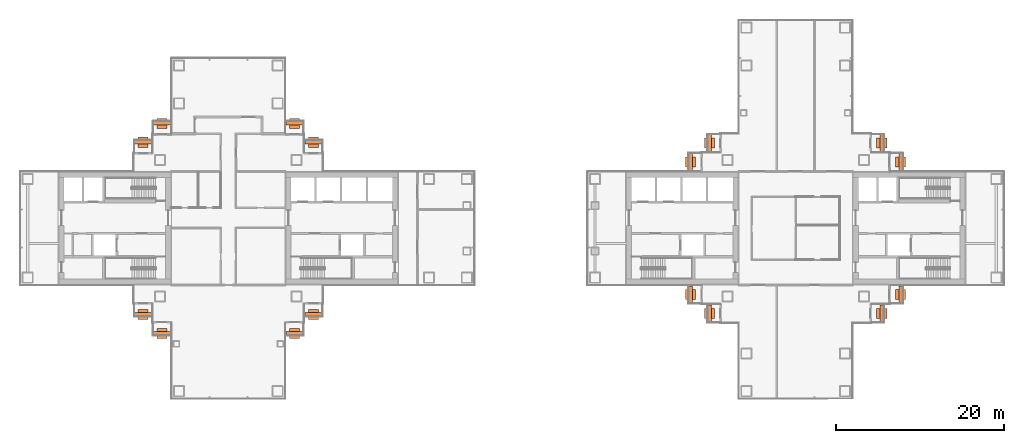
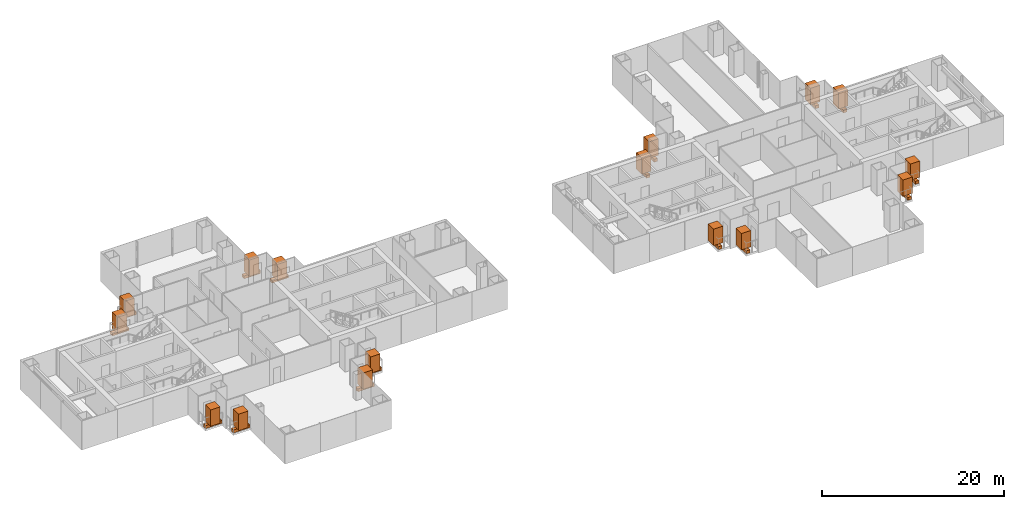
# One storey, part 20 of 20: 16 geographic elements, 16 proxies.
"""IFC4 building model written with IfcOpenShell, lengths in metres."""

from ifc_helpers import new_model, si_unit, direction, frame, origin, origin_2d, place, context, subcontext, project, spatial, rectangle, extrude, material, type_object, element, save


model = new_model("IFC4")

# Units and contexts
model_context = context("Model", 3, precision=1e-05, world=origin(), true_north=direction((0.0, 1.0)))
body_context = subcontext(model_context, "Body", "Model", "MODEL_VIEW")
ifc_project = project(units=[si_unit("LENGTHUNIT", "METRE"), si_unit("AREAUNIT", "SQUARE_METRE"), si_unit("VOLUMEUNIT", "CUBIC_METRE"), si_unit("PLANEANGLEUNIT", "RADIAN"), si_unit("MASSUNIT", "GRAM", prefix="KILO")], contexts=[model_context])

# Site, building, storey
site_placement = place(None, origin())
site = spatial("IfcSite", under=ifc_project, at=site_placement, CompositionType="ELEMENT")
building_placement = place(site_placement, origin())
building = spatial("IfcBuilding", under=site, at=building_placement, Name="Shamsa Quay Exchange Towers", CompositionType="ELEMENT")
storey_placement = place(building_placement, frame((0.0, 0.0, 124.800048828125)))
storey = spatial("IfcBuildingStorey", under=building, at=storey_placement, Name="L29", CompositionType="ELEMENT", Elevation=124.800048828125)

# Proxies
ifc_material_1 = material(Name="Reinforced concrete C30/37, black glass-fibre faced", Category="concrete")
building_element_proxy_type = type_object("IfcBuildingElementProxyType", Name="BALCONY PLANTER", PredefinedType="USERDEFINED", material=ifc_material_1)
for number, where, z_axis, x_axis, name in (
    (1, (-23.60595703125, 10.2451171875, 0.0), (0.0, 0.0, 1.0), (-1.0, 0.0, 0.0), "PLANTER T1-PKEN L29"),
    (2, (-25.85595703125, 12.4951171875, 0.0), (0.0, 0.0, 1.0), (-1.0, 0.0, 0.0), "PLANTER T1-PKEN L29"),
):
    element("IfcBuildingElementProxy", number, at=place(storey_placement, frame(where, z_axis=z_axis, x_axis=x_axis)), inside=storey, type_object=building_element_proxy_type, Name=name, ObjectType="PLANTER", PredefinedType="USERDEFINED", context=body_context, shape_type="SweptSolid", body=[
        extrude(rectangle(XDim=2.092041015625, YDim=0.449951171875, at=origin_2d()), origin(), (0.0, 0.0, 1.0), 0.39990234375),
    ])
for number, where, name in (
    (3, (-23.60595703125, -10.2451171875, 0.0), "PLANTER T1-PKES L29"),
    (4, (-25.85595703125, -12.4951171875, 0.0), "PLANTER T1-PKES L29"),
):
    element("IfcBuildingElementProxy", number, at=place(storey_placement, frame(where)), inside=storey, type_object=building_element_proxy_type, Name=name, ObjectType="PLANTER", PredefinedType="USERDEFINED", context=body_context, shape_type="SweptSolid", body=[
        extrude(rectangle(XDim=2.092041015625, YDim=0.449951171875, at=origin_2d()), origin(), (0.0, 0.0, 1.0), 0.39990234375),
    ])
for number, where, z_axis, x_axis, name in (
    (5, (-41.64404296875, 12.4951171875, 0.0), (0.0, 0.0, 1.0), (-1.0, 0.0, 0.0), "PLANTER T1-PKWN L29"),
    (6, (-43.89404296875, 10.2451171875, 0.0), (0.0, 0.0, 1.0), (-1.0, 0.0, 0.0), "PLANTER T1-PKWN L29"),
):
    element("IfcBuildingElementProxy", number, at=place(storey_placement, frame(where, z_axis=z_axis, x_axis=x_axis)), inside=storey, type_object=building_element_proxy_type, Name=name, ObjectType="PLANTER", PredefinedType="USERDEFINED", context=body_context, shape_type="SweptSolid", body=[
        extrude(rectangle(XDim=2.092041015625, YDim=0.449951171875, at=origin_2d()), origin(), (0.0, 0.0, 1.0), 0.39990234375),
    ])
for number, where, name in (
    (7, (-43.89404296875, -10.2451171875, 0.0), "PLANTER T1-PKWS L29"),
    (8, (-41.64404296875, -12.4951171875, 0.0), "PLANTER T1-PKWS L29"),
):
    element("IfcBuildingElementProxy", number, at=place(storey_placement, frame(where)), inside=storey, type_object=building_element_proxy_type, Name=name, ObjectType="PLANTER", PredefinedType="USERDEFINED", context=body_context, shape_type="SweptSolid", body=[
        extrude(rectangle(XDim=2.092041015625, YDim=0.449951171875, at=origin_2d()), origin(), (0.0, 0.0, 1.0), 0.39990234375),
    ])
for number, where, z_axis, x_axis, name in (
    (9, (23.5048828125, 10.14404296875, 0.0), (0.0, 0.0, 1.0), (0.0, -1.0, 0.0), "PLANTER T2-PKEN L29"),
    (10, (21.2548828125, 7.89404296875, 0.0), (0.0, 0.0, 1.0), (0.0, -1.0, 0.0), "PLANTER T2-PKEN L29"),
    (11, (43.9951171875, 10.14404296875, 0.0), (0.0, 0.0, 1.0), (0.0, 1.0, 0.0), "PLANTER T2-PKES L29"),
    (12, (46.2451171875, 7.89404296875, 0.0), (0.0, 0.0, 1.0), (0.0, 1.0, 0.0), "PLANTER T2-PKES L29"),
    (13, (21.2548828125, -7.89404296875, 0.0), (0.0, 0.0, 1.0), (0.0, -1.0, 0.0), "PLANTER T2-PKWN L29"),
    (14, (23.5048828125, -10.14404296875, 0.0), (0.0, 0.0, 1.0), (0.0, -1.0, 0.0), "PLANTER T2-PKWN L29"),
    (15, (43.9951171875, -10.14404296875, 0.0), (0.0, 0.0, 1.0), (0.0, 1.0, 0.0), "PLANTER T2-PKWS L29"),
    (16, (46.2451171875, -7.89404296875, 0.0), (0.0, 0.0, 1.0), (0.0, 1.0, 0.0), "PLANTER T2-PKWS L29"),
):
    element("IfcBuildingElementProxy", number, at=place(storey_placement, frame(where, z_axis=z_axis, x_axis=x_axis)), inside=storey, type_object=building_element_proxy_type, Name=name, ObjectType="PLANTER", PredefinedType="USERDEFINED", context=body_context, shape_type="SweptSolid", body=[
        extrude(rectangle(XDim=2.092041015625, YDim=0.449951171875, at=origin_2d()), origin(), (0.0, 0.0, 1.0), 0.39990234375),
    ])

# Geographic elements
ifc_material_2 = material(Name="Planting")
geographic_element_type = type_object("IfcGeographicElementType", Name="BALCONY TREE", PredefinedType="USERDEFINED", material=ifc_material_2)
for number, where, z_axis, x_axis, name in (
    (17, (-23.60595703125, 10.2451171875, 0.39990234375), (0.0, 0.0, 1.0), (-1.0, 0.0, 0.0), "TREE T1-PKEN L29"),
    (18, (-25.85595703125, 12.4951171875, 0.39990234375), (0.0, 0.0, 1.0), (-1.0, 0.0, 0.0), "TREE T1-PKEN L29"),
):
    element("IfcGeographicElement", number, at=place(storey_placement, frame(where, z_axis=z_axis, x_axis=x_axis)), inside=storey, type_object=geographic_element_type, Name=name, ObjectType="TREE", PredefinedType="USERDEFINED", context=body_context, shape_type="SweptSolid", body=[
        extrude(rectangle(XDim=1.199951171875, YDim=1.199951171875, at=origin_2d()), origin(), (0.0, 0.0, 1.0), 2.199951171875),
    ])
for number, where, name in (
    (19, (-23.60595703125, -10.2451171875, 0.39990234375), "TREE T1-PKES L29"),
    (20, (-25.85595703125, -12.4951171875, 0.39990234375), "TREE T1-PKES L29"),
):
    element("IfcGeographicElement", number, at=place(storey_placement, frame(where)), inside=storey, type_object=geographic_element_type, Name=name, ObjectType="TREE", PredefinedType="USERDEFINED", context=body_context, shape_type="SweptSolid", body=[
        extrude(rectangle(XDim=1.199951171875, YDim=1.199951171875, at=origin_2d()), origin(), (0.0, 0.0, 1.0), 2.199951171875),
    ])
for number, where, z_axis, x_axis, name in (
    (21, (-41.64404296875, 12.4951171875, 0.39990234375), (0.0, 0.0, 1.0), (-1.0, 0.0, 0.0), "TREE T1-PKWN L29"),
    (22, (-43.89404296875, 10.2451171875, 0.39990234375), (0.0, 0.0, 1.0), (-1.0, 0.0, 0.0), "TREE T1-PKWN L29"),
):
    element("IfcGeographicElement", number, at=place(storey_placement, frame(where, z_axis=z_axis, x_axis=x_axis)), inside=storey, type_object=geographic_element_type, Name=name, ObjectType="TREE", PredefinedType="USERDEFINED", context=body_context, shape_type="SweptSolid", body=[
        extrude(rectangle(XDim=1.199951171875, YDim=1.199951171875, at=origin_2d()), origin(), (0.0, 0.0, 1.0), 2.199951171875),
    ])
for number, where, name in (
    (23, (-43.89404296875, -10.2451171875, 0.39990234375), "TREE T1-PKWS L29"),
    (24, (-41.64404296875, -12.4951171875, 0.39990234375), "TREE T1-PKWS L29"),
):
    element("IfcGeographicElement", number, at=place(storey_placement, frame(where)), inside=storey, type_object=geographic_element_type, Name=name, ObjectType="TREE", PredefinedType="USERDEFINED", context=body_context, shape_type="SweptSolid", body=[
        extrude(rectangle(XDim=1.199951171875, YDim=1.199951171875, at=origin_2d()), origin(), (0.0, 0.0, 1.0), 2.199951171875),
    ])
for number, where, z_axis, x_axis, name in (
    (25, (23.5048828125, 10.14404296875, 0.39990234375), (0.0, 0.0, 1.0), (0.0, -1.0, 0.0), "TREE T2-PKEN L29"),
    (26, (21.2548828125, 7.89404296875, 0.39990234375), (0.0, 0.0, 1.0), (0.0, -1.0, 0.0), "TREE T2-PKEN L29"),
    (27, (43.9951171875, 10.14404296875, 0.39990234375), (0.0, 0.0, 1.0), (0.0, 1.0, 0.0), "TREE T2-PKES L29"),
    (28, (46.2451171875, 7.89404296875, 0.39990234375), (0.0, 0.0, 1.0), (0.0, 1.0, 0.0), "TREE T2-PKES L29"),
    (29, (21.2548828125, -7.89404296875, 0.39990234375), (0.0, 0.0, 1.0), (0.0, -1.0, 0.0), "TREE T2-PKWN L29"),
    (30, (23.5048828125, -10.14404296875, 0.39990234375), (0.0, 0.0, 1.0), (0.0, -1.0, 0.0), "TREE T2-PKWN L29"),
    (31, (43.9951171875, -10.14404296875, 0.39990234375), (0.0, 0.0, 1.0), (0.0, 1.0, 0.0), "TREE T2-PKWS L29"),
    (32, (46.2451171875, -7.89404296875, 0.39990234375), (0.0, 0.0, 1.0), (0.0, 1.0, 0.0), "TREE T2-PKWS L29"),
):
    element("IfcGeographicElement", number, at=place(storey_placement, frame(where, z_axis=z_axis, x_axis=x_axis)), inside=storey, type_object=geographic_element_type, Name=name, ObjectType="TREE", PredefinedType="USERDEFINED", context=body_context, shape_type="SweptSolid", body=[
        extrude(rectangle(XDim=1.199951171875, YDim=1.199951171875, at=origin_2d()), origin(), (0.0, 0.0, 1.0), 2.199951171875),
    ])

save(model, "model.ifc")
